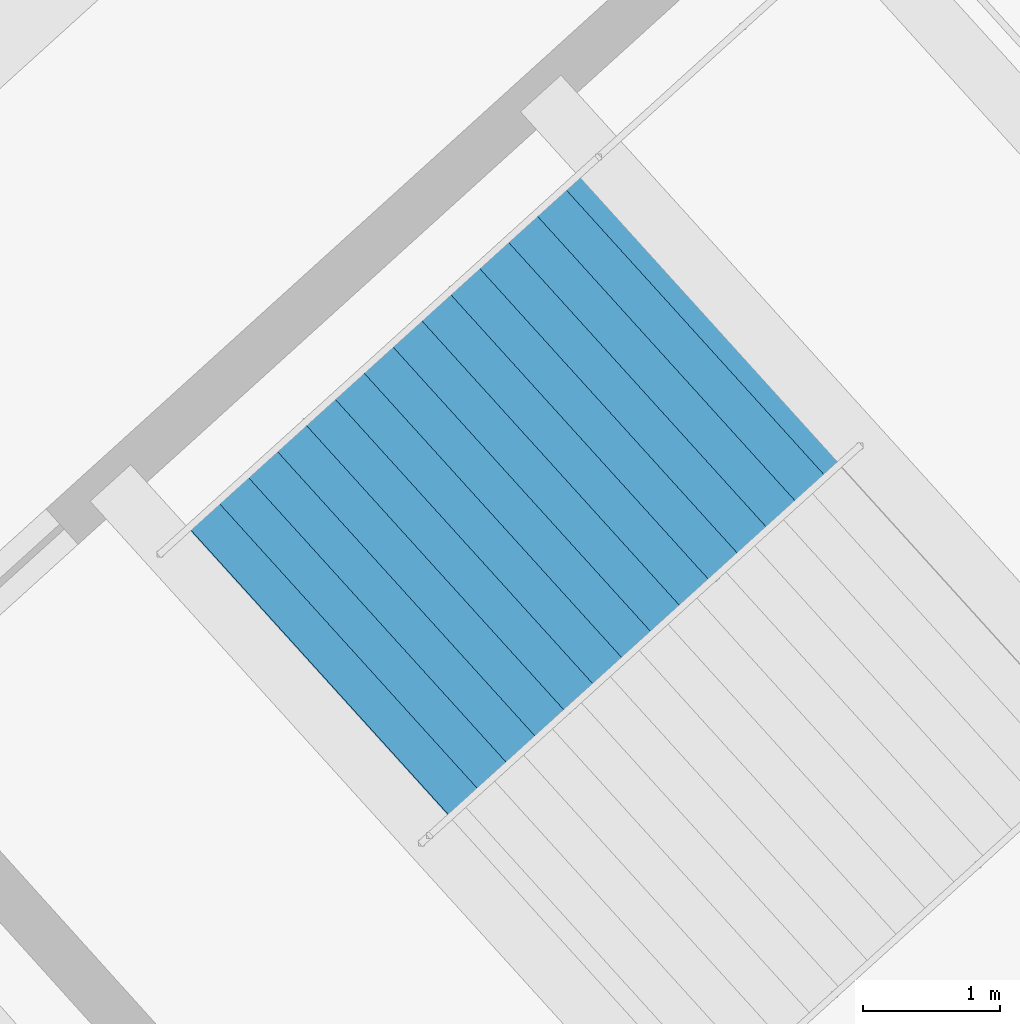
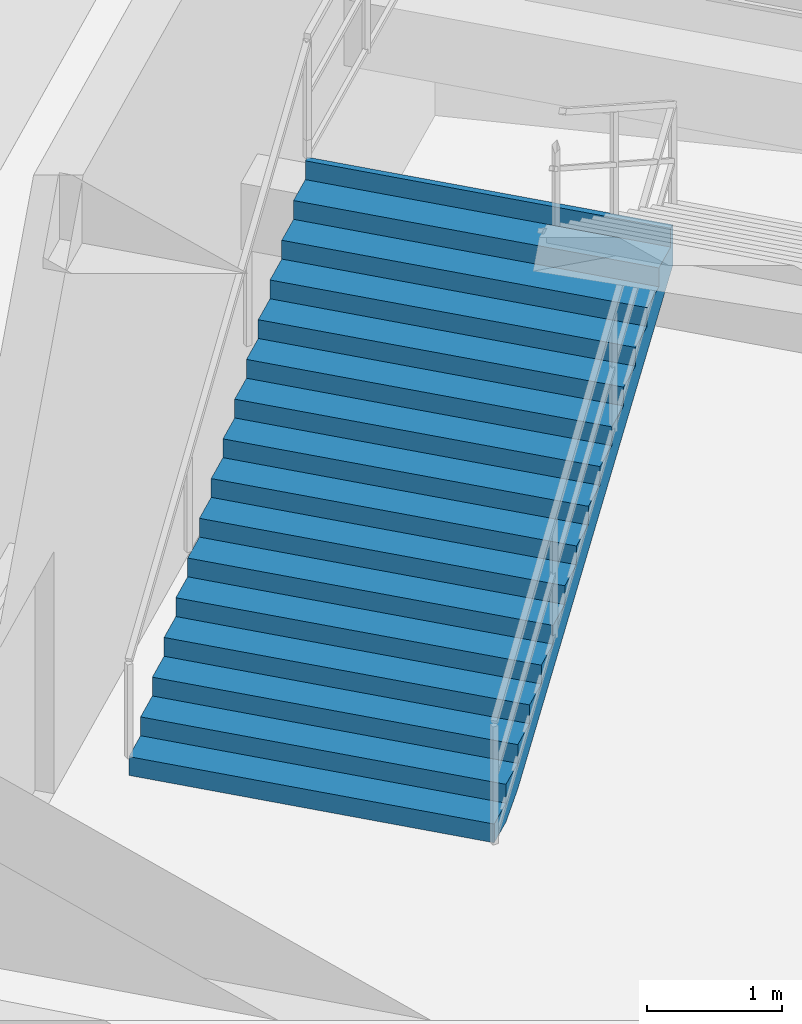
# One storey, part 28 of 49: 1 stair flight, 1 element without a shape of its own.
"""IFC4 building model written with IfcOpenShell, lengths in metres."""

from ifc_helpers import new_model, si_unit, direction, frame, origin, place, context, subcontext, project, spatial, polygons, material, type_object, element, aggregate, save


model = new_model("IFC4")

# Units and contexts
model_context = context("Model", 3, precision=1e-05, world=origin(), true_north=direction((0.0, 1.0)))
body_context = subcontext(model_context, "Body", "Model", "MODEL_VIEW")
ifc_project = project(units=[si_unit("LENGTHUNIT", "METRE"), si_unit("AREAUNIT", "SQUARE_METRE"), si_unit("VOLUMEUNIT", "CUBIC_METRE"), si_unit("PLANEANGLEUNIT", "RADIAN"), si_unit("MASSUNIT", "GRAM", prefix="KILO")], contexts=[model_context])

# Site, building, storey
site_placement = place(None, origin())
site = spatial("IfcSite", under=ifc_project, at=site_placement, CompositionType="ELEMENT")
building_placement = place(site_placement, origin())
building = spatial("IfcBuilding", under=site, at=building_placement, Name="Kazemori Nagisa Stadium", CompositionType="ELEMENT")
storey_placement = place(building_placement, frame((0.0, 0.0, -5.43994140625)))
storey = spatial("IfcBuildingStorey", under=building, at=storey_placement, Name="B1", CompositionType="ELEMENT", Elevation=-5.43994140625)

# Stair, stair flight
ifc_material = material(Name="Concrete C36/45 (Fc36)", Category="concrete")
stair_type = type_object("IfcStairType", Name="Stair_CORE_32", PredefinedType="TWO_STRAIGHT_RUN_STAIR", material=ifc_material)
stair_placement = place(storey_placement, origin())
stair = element("IfcStair", 1, at=stair_placement, inside=storey, type_object=stair_type, Name="Exit stair ST04 B1", PredefinedType="TWO_STRAIGHT_RUN_STAIR")
stair_flight_type = type_object("IfcStairFlightType", Name="Flight_CORE_16", PredefinedType="STRAIGHT", material=ifc_material)
stair_flight_placement = place(storey_placement, frame((182.77587890625, 39.410400390625, 0.0), z_axis=(0.0, 0.0, 1.0), x_axis=(0.741328742395, 0.671142083093, 0.0)))
stair_flight = element("IfcStairFlight", 2, at=stair_flight_placement, type_object=stair_flight_type, Name="Exit stair ST04 B1 flight 1", NumberOfRisers=16, NumberOfTreads=15, PredefinedType="STRAIGHT", RiserHeight=0.17, TreadLength=0.285, context=body_context, shape_type="Tessellation", body=[
    polygons([(0.0, -1.425048828125, 0.0), (0.0, -1.425048828125, 0.169921875), (0.284912109375, -1.425048828125, 0.169921875), (0.284912109375, -1.425048828125, 0.340087890625), (0.570068359375, -1.425048828125, 0.340087890625), (0.570068359375, -1.425048828125, 0.510009765625), (0.85498046875, -1.425048828125, 0.510009765625), (0.85498046875, -1.425048828125, 0.679931640625), (1.139892578125, -1.425048828125, 0.679931640625), (1.139892578125, -1.425048828125, 0.85009765625), (1.425048828125, -1.425048828125, 0.85009765625), (1.425048828125, -1.425048828125, 1.02001953125), (1.7099609375, -1.425048828125, 1.02001953125), (1.7099609375, -1.425048828125, 1.18994140625), (1.9951171875, -1.425048828125, 1.18994140625), (1.9951171875, -1.425048828125, 1.360107421875), (2.280029296875, -1.425048828125, 1.360107421875), (2.280029296875, -1.425048828125, 1.530029296875), (2.56494140625, -1.425048828125, 1.530029296875), (2.56494140625, -1.425048828125, 1.699951171875), (2.85009765625, -1.425048828125, 1.699951171875), (2.85009765625, -1.425048828125, 1.8701171875), (3.135009765625, -1.425048828125, 1.8701171875), (3.135009765625, -1.425048828125, 2.0400390625), (3.419921875, -1.425048828125, 2.0400390625), (3.419921875, -1.425048828125, 2.2099609375), (3.705078125, -1.425048828125, 2.2099609375), (3.705078125, -1.425048828125, 2.3798828125), (3.989990234375, -1.425048828125, 2.3798828125), (3.989990234375, -1.425048828125, 2.550048828125), (4.27490234375, -1.425048828125, 2.550048828125), (4.27490234375, -1.425048828125, 2.719970703125), (4.324951171875, -1.425048828125, 2.719970703125), (4.324951171875, -1.425048828125, 2.346923828125), (4.27490234375, -1.425048828125, 2.317138671875), (3.989990234375, -1.425048828125, 2.147216796875), (3.705078125, -1.425048828125, 1.977294921875), (3.419921875, -1.425048828125, 1.80712890625), (3.135009765625, -1.425048828125, 1.63720703125), (2.85009765625, -1.425048828125, 1.46728515625), (2.56494140625, -1.425048828125, 1.297119140625), (2.280029296875, -1.425048828125, 1.127197265625), (1.9951171875, -1.425048828125, 0.957275390625), (1.7099609375, -1.425048828125, 0.787109375), (1.425048828125, -1.425048828125, 0.6171875), (1.139892578125, -1.425048828125, 0.447265625), (0.85498046875, -1.425048828125, 0.277099609375), (0.570068359375, -1.425048828125, 0.107177734375), (0.284912109375, -1.425048828125, 0.0), (0.0, -0.08544921875, 0.0), (0.0, -0.08544921875, 0.169921875), (0.284912109375, -0.08544921875, 0.169921875), (0.284912109375, -0.08544921875, 0.340087890625), (0.570068359375, -0.08544921875, 0.340087890625), (0.570068359375, -0.08544921875, 0.510009765625), (0.85498046875, -0.08544921875, 0.510009765625), (0.85498046875, -0.08544921875, 0.679931640625), (1.139892578125, -0.08544921875, 0.679931640625), (1.139892578125, -0.08544921875, 0.85009765625), (1.425048828125, -0.08544921875, 0.85009765625), (1.425048828125, -0.08544921875, 1.02001953125), (1.7099609375, -0.08544921875, 1.02001953125), (1.7099609375, -0.08544921875, 1.18994140625), (1.9951171875, -0.08544921875, 1.18994140625), (1.9951171875, -0.08544921875, 1.360107421875), (2.280029296875, -0.08544921875, 1.360107421875), (2.280029296875, -0.08544921875, 1.530029296875), (2.56494140625, -0.08544921875, 1.530029296875), (2.56494140625, -0.08544921875, 1.699951171875), (2.85009765625, -0.08544921875, 1.699951171875), (2.85009765625, -0.08544921875, 1.8701171875), (3.135009765625, -0.08544921875, 1.8701171875), (3.135009765625, -0.08544921875, 2.0400390625), (3.419921875, -0.08544921875, 2.0400390625), (3.419921875, -0.08544921875, 2.2099609375), (3.705078125, -0.08544921875, 2.2099609375), (3.705078125, -0.08544921875, 2.3798828125), (3.989990234375, -0.08544921875, 2.3798828125), (3.989990234375, -0.08544921875, 2.550048828125), (4.27490234375, -0.08544921875, 2.550048828125), (4.27490234375, -0.08544921875, 2.719970703125), (4.324951171875, -0.08544921875, 2.719970703125), (4.324951171875, -0.08544921875, 2.346923828125), (4.27490234375, -0.08544921875, 2.317138671875), (3.989990234375, -0.08544921875, 2.147216796875), (3.705078125, -0.08544921875, 1.977294921875), (3.419921875, -0.08544921875, 1.80712890625), (3.135009765625, -0.08544921875, 1.63720703125), (2.85009765625, -0.08544921875, 1.46728515625), (2.56494140625, -0.08544921875, 1.297119140625), (2.280029296875, -0.08544921875, 1.127197265625), (1.9951171875, -0.08544921875, 0.957275390625), (1.7099609375, -0.08544921875, 0.787109375), (1.425048828125, -0.08544921875, 0.6171875), (1.139892578125, -0.08544921875, 0.447265625), (0.85498046875, -0.08544921875, 0.277099609375), (0.570068359375, -0.08544921875, 0.107177734375), (0.284912109375, -0.08544921875, 0.0), (0.0, 0.0, 0.0), (0.0, 0.0, 0.169921875), (0.284912109375, 0.0, 0.169921875), (0.284912109375, 0.0, 0.340087890625), (0.570068359375, 0.0, 0.340087890625), (0.570068359375, 0.0, 0.510009765625), (0.85498046875, 0.0, 0.510009765625), (0.85498046875, 0.0, 0.679931640625), (1.139892578125, 0.0, 0.679931640625), (1.139892578125, 0.0, 0.85009765625), (1.425048828125, 0.0, 0.85009765625), (1.425048828125, 0.0, 1.02001953125), (1.7099609375, 0.0, 1.02001953125), (1.7099609375, 0.0, 1.18994140625), (1.9951171875, 0.0, 1.18994140625), (1.9951171875, 0.0, 1.360107421875), (2.280029296875, 0.0, 1.360107421875), (2.280029296875, 0.0, 1.530029296875), (2.56494140625, 0.0, 1.530029296875), (2.56494140625, 0.0, 1.699951171875), (2.85009765625, 0.0, 1.699951171875), (2.85009765625, 0.0, 1.8701171875), (3.135009765625, 0.0, 1.8701171875), (3.135009765625, 0.0, 2.0400390625), (3.419921875, 0.0, 2.0400390625), (3.419921875, 0.0, 2.2099609375), (3.705078125, 0.0, 2.2099609375), (3.705078125, 0.0, 2.3798828125), (3.989990234375, 0.0, 2.3798828125), (3.989990234375, 0.0, 2.550048828125), (4.27490234375, 0.0, 2.550048828125), (4.27490234375, 0.0, 2.719970703125), (4.324951171875, 0.0, 2.719970703125), (4.324951171875, 0.0, 2.346923828125), (4.27490234375, 0.0, 2.317138671875), (3.989990234375, 0.0, 2.147216796875), (3.705078125, 0.0, 1.977294921875), (3.419921875, 0.0, 1.80712890625), (3.135009765625, 0.0, 1.63720703125), (2.85009765625, 0.0, 1.46728515625), (2.56494140625, 0.0, 1.297119140625), (2.280029296875, 0.0, 1.127197265625), (1.9951171875, 0.0, 0.957275390625), (1.7099609375, 0.0, 0.787109375), (1.425048828125, 0.0, 0.6171875), (1.139892578125, 0.0, 0.447265625), (0.85498046875, 0.0, 0.277099609375), (0.570068359375, 0.0, 0.107177734375), (0.284912109375, 0.0, 0.0), (0.0, 0.08544921875, 0.0), (0.0, 0.08544921875, 0.169921875), (0.284912109375, 0.08544921875, 0.169921875), (0.284912109375, 0.08544921875, 0.340087890625), (0.570068359375, 0.08544921875, 0.340087890625), (0.570068359375, 0.08544921875, 0.510009765625), (0.85498046875, 0.08544921875, 0.510009765625), (0.85498046875, 0.08544921875, 0.679931640625), (1.139892578125, 0.08544921875, 0.679931640625), (1.139892578125, 0.08544921875, 0.85009765625), (1.425048828125, 0.08544921875, 0.85009765625), (1.425048828125, 0.08544921875, 1.02001953125), (1.7099609375, 0.08544921875, 1.02001953125), (1.7099609375, 0.08544921875, 1.18994140625), (1.9951171875, 0.08544921875, 1.18994140625), (1.9951171875, 0.08544921875, 1.360107421875), (2.280029296875, 0.08544921875, 1.360107421875), (2.280029296875, 0.08544921875, 1.530029296875), (2.56494140625, 0.08544921875, 1.530029296875), (2.56494140625, 0.08544921875, 1.699951171875), (2.85009765625, 0.08544921875, 1.699951171875), (2.85009765625, 0.08544921875, 1.8701171875), (3.135009765625, 0.08544921875, 1.8701171875), (3.135009765625, 0.08544921875, 2.0400390625), (3.419921875, 0.08544921875, 2.0400390625), (3.419921875, 0.08544921875, 2.2099609375), (3.705078125, 0.08544921875, 2.2099609375), (3.705078125, 0.08544921875, 2.3798828125), (3.989990234375, 0.08544921875, 2.3798828125), (3.989990234375, 0.08544921875, 2.550048828125), (4.27490234375, 0.08544921875, 2.550048828125), (4.27490234375, 0.08544921875, 2.719970703125), (4.324951171875, 0.08544921875, 2.719970703125), (4.324951171875, 0.08544921875, 2.346923828125), (4.27490234375, 0.08544921875, 2.317138671875), (3.989990234375, 0.08544921875, 2.147216796875), (3.705078125, 0.08544921875, 1.977294921875), (3.419921875, 0.08544921875, 1.80712890625), (3.135009765625, 0.08544921875, 1.63720703125), (2.85009765625, 0.08544921875, 1.46728515625), (2.56494140625, 0.08544921875, 1.297119140625), (2.280029296875, 0.08544921875, 1.127197265625), (1.9951171875, 0.08544921875, 0.957275390625), (1.7099609375, 0.08544921875, 0.787109375), (1.425048828125, 0.08544921875, 0.6171875), (1.139892578125, 0.08544921875, 0.447265625), (0.85498046875, 0.08544921875, 0.277099609375), (0.570068359375, 0.08544921875, 0.107177734375), (0.284912109375, 0.08544921875, 0.0), (0.0, 1.425048828125, 0.0), (0.0, 1.425048828125, 0.169921875), (0.284912109375, 1.425048828125, 0.169921875), (0.284912109375, 1.425048828125, 0.340087890625), (0.570068359375, 1.425048828125, 0.340087890625), (0.570068359375, 1.425048828125, 0.510009765625), (0.85498046875, 1.425048828125, 0.510009765625), (0.85498046875, 1.425048828125, 0.679931640625), (1.139892578125, 1.425048828125, 0.679931640625), (1.139892578125, 1.425048828125, 0.85009765625), (1.425048828125, 1.425048828125, 0.85009765625), (1.425048828125, 1.425048828125, 1.02001953125), (1.7099609375, 1.425048828125, 1.02001953125), (1.7099609375, 1.425048828125, 1.18994140625), (1.9951171875, 1.425048828125, 1.18994140625), (1.9951171875, 1.425048828125, 1.360107421875), (2.280029296875, 1.425048828125, 1.360107421875), (2.280029296875, 1.425048828125, 1.530029296875), (2.56494140625, 1.425048828125, 1.530029296875), (2.56494140625, 1.425048828125, 1.699951171875), (2.85009765625, 1.425048828125, 1.699951171875), (2.85009765625, 1.425048828125, 1.8701171875), (3.135009765625, 1.425048828125, 1.8701171875), (3.135009765625, 1.425048828125, 2.0400390625), (3.419921875, 1.425048828125, 2.0400390625), (3.419921875, 1.425048828125, 2.2099609375), (3.705078125, 1.425048828125, 2.2099609375), (3.705078125, 1.425048828125, 2.3798828125), (3.989990234375, 1.425048828125, 2.3798828125), (3.989990234375, 1.425048828125, 2.550048828125), (4.27490234375, 1.425048828125, 2.550048828125), (4.27490234375, 1.425048828125, 2.719970703125), (4.324951171875, 1.425048828125, 2.719970703125), (4.324951171875, 1.425048828125, 2.346923828125), (4.27490234375, 1.425048828125, 2.317138671875), (3.989990234375, 1.425048828125, 2.147216796875), (3.705078125, 1.425048828125, 1.977294921875), (3.419921875, 1.425048828125, 1.80712890625), (3.135009765625, 1.425048828125, 1.63720703125), (2.85009765625, 1.425048828125, 1.46728515625), (2.56494140625, 1.425048828125, 1.297119140625), (2.280029296875, 1.425048828125, 1.127197265625), (1.9951171875, 1.425048828125, 0.957275390625), (1.7099609375, 1.425048828125, 0.787109375), (1.425048828125, 1.425048828125, 0.6171875), (1.139892578125, 1.425048828125, 0.447265625), (0.85498046875, 1.425048828125, 0.277099609375), (0.570068359375, 1.425048828125, 0.107177734375), (0.284912109375, 1.425048828125, 0.0)], [[[1, 2, 51]], [[1, 51, 50]], [[2, 3, 52]], [[2, 52, 51]], [[3, 4, 53]], [[3, 53, 52]], [[4, 5, 54]], [[4, 54, 53]], [[5, 6, 55]], [[5, 55, 54]], [[6, 7, 56]], [[6, 56, 55]], [[7, 8, 57]], [[7, 57, 56]], [[8, 9, 58]], [[8, 58, 57]], [[9, 10, 59]], [[9, 59, 58]], [[10, 11, 60]], [[10, 60, 59]], [[11, 12, 61]], [[11, 61, 60]], [[12, 13, 62]], [[12, 62, 61]], [[13, 14, 63]], [[13, 63, 62]], [[14, 15, 64]], [[14, 64, 63]], [[15, 16, 65]], [[15, 65, 64]], [[16, 17, 66]], [[16, 66, 65]], [[17, 18, 67]], [[17, 67, 66]], [[18, 19, 68]], [[18, 68, 67]], [[19, 20, 69]], [[19, 69, 68]], [[20, 21, 70]], [[20, 70, 69]], [[21, 22, 71]], [[21, 71, 70]], [[22, 23, 72]], [[22, 72, 71]], [[23, 24, 73]], [[23, 73, 72]], [[24, 25, 74]], [[24, 74, 73]], [[25, 26, 75]], [[25, 75, 74]], [[26, 27, 76]], [[26, 76, 75]], [[27, 28, 77]], [[27, 77, 76]], [[28, 29, 78]], [[28, 78, 77]], [[29, 30, 79]], [[29, 79, 78]], [[30, 31, 80]], [[30, 80, 79]], [[31, 32, 81]], [[31, 81, 80]], [[32, 33, 82]], [[32, 82, 81]], [[33, 34, 83]], [[33, 83, 82]], [[34, 35, 84]], [[34, 84, 83]], [[35, 36, 85]], [[35, 85, 84]], [[36, 37, 86]], [[36, 86, 85]], [[37, 38, 87]], [[37, 87, 86]], [[38, 39, 88]], [[38, 88, 87]], [[39, 40, 89]], [[39, 89, 88]], [[40, 41, 90]], [[40, 90, 89]], [[41, 42, 91]], [[41, 91, 90]], [[42, 43, 92]], [[42, 92, 91]], [[43, 44, 93]], [[43, 93, 92]], [[44, 45, 94]], [[44, 94, 93]], [[45, 46, 95]], [[45, 95, 94]], [[46, 47, 96]], [[46, 96, 95]], [[47, 48, 97]], [[47, 97, 96]], [[48, 49, 98]], [[48, 98, 97]], [[49, 1, 50]], [[49, 50, 98]], [[50, 51, 100]], [[50, 100, 99]], [[51, 52, 101]], [[51, 101, 100]], [[52, 53, 102]], [[52, 102, 101]], [[53, 54, 103]], [[53, 103, 102]], [[54, 55, 104]], [[54, 104, 103]], [[55, 56, 105]], [[55, 105, 104]], [[56, 57, 106]], [[56, 106, 105]], [[57, 58, 107]], [[57, 107, 106]], [[58, 59, 108]], [[58, 108, 107]], [[59, 60, 109]], [[59, 109, 108]], [[60, 61, 110]], [[60, 110, 109]], [[61, 62, 111]], [[61, 111, 110]], [[62, 63, 112]], [[62, 112, 111]], [[63, 64, 113]], [[63, 113, 112]], [[64, 65, 114]], [[64, 114, 113]], [[65, 66, 115]], [[65, 115, 114]], [[66, 67, 116]], [[66, 116, 115]], [[67, 68, 117]], [[67, 117, 116]], [[68, 69, 118]], [[68, 118, 117]], [[69, 70, 119]], [[69, 119, 118]], [[70, 71, 120]], [[70, 120, 119]], [[71, 72, 121]], [[71, 121, 120]], [[72, 73, 122]], [[72, 122, 121]], [[73, 74, 123]], [[73, 123, 122]], [[74, 75, 124]], [[74, 124, 123]], [[75, 76, 125]], [[75, 125, 124]], [[76, 77, 126]], [[76, 126, 125]], [[77, 78, 127]], [[77, 127, 126]], [[78, 79, 128]], [[78, 128, 127]], [[79, 80, 129]], [[79, 129, 128]], [[80, 81, 130]], [[80, 130, 129]], [[81, 82, 131]], [[81, 131, 130]], [[82, 83, 132]], [[82, 132, 131]], [[83, 84, 133]], [[83, 133, 132]], [[84, 85, 134]], [[84, 134, 133]], [[85, 86, 135]], [[85, 135, 134]], [[86, 87, 136]], [[86, 136, 135]], [[87, 88, 137]], [[87, 137, 136]], [[88, 89, 138]], [[88, 138, 137]], [[89, 90, 139]], [[89, 139, 138]], [[90, 91, 140]], [[90, 140, 139]], [[91, 92, 141]], [[91, 141, 140]], [[92, 93, 142]], [[92, 142, 141]], [[93, 94, 143]], [[93, 143, 142]], [[94, 95, 144]], [[94, 144, 143]], [[95, 96, 145]], [[95, 145, 144]], [[96, 97, 146]], [[96, 146, 145]], [[97, 98, 147]], [[97, 147, 146]], [[98, 50, 99]], [[98, 99, 147]], [[99, 100, 149]], [[99, 149, 148]], [[100, 101, 150]], [[100, 150, 149]], [[101, 102, 151]], [[101, 151, 150]], [[102, 103, 152]], [[102, 152, 151]], [[103, 104, 153]], [[103, 153, 152]], [[104, 105, 154]], [[104, 154, 153]], [[105, 106, 155]], [[105, 155, 154]], [[106, 107, 156]], [[106, 156, 155]], [[107, 108, 157]], [[107, 157, 156]], [[108, 109, 158]], [[108, 158, 157]], [[109, 110, 159]], [[109, 159, 158]], [[110, 111, 160]], [[110, 160, 159]], [[111, 112, 161]], [[111, 161, 160]], [[112, 113, 162]], [[112, 162, 161]], [[113, 114, 163]], [[113, 163, 162]], [[114, 115, 164]], [[114, 164, 163]], [[115, 116, 165]], [[115, 165, 164]], [[116, 117, 166]], [[116, 166, 165]], [[117, 118, 167]], [[117, 167, 166]], [[118, 119, 168]], [[118, 168, 167]], [[119, 120, 169]], [[119, 169, 168]], [[120, 121, 170]], [[120, 170, 169]], [[121, 122, 171]], [[121, 171, 170]], [[122, 123, 172]], [[122, 172, 171]], [[123, 124, 173]], [[123, 173, 172]], [[124, 125, 174]], [[124, 174, 173]], [[125, 126, 175]], [[125, 175, 174]], [[126, 127, 176]], [[126, 176, 175]], [[127, 128, 177]], [[127, 177, 176]], [[128, 129, 178]], [[128, 178, 177]], [[129, 130, 179]], [[129, 179, 178]], [[130, 131, 180]], [[130, 180, 179]], [[131, 132, 181]], [[131, 181, 180]], [[132, 133, 182]], [[132, 182, 181]], [[133, 134, 183]], [[133, 183, 182]], [[134, 135, 184]], [[134, 184, 183]], [[135, 136, 185]], [[135, 185, 184]], [[136, 137, 186]], [[136, 186, 185]], [[137, 138, 187]], [[137, 187, 186]], [[138, 139, 188]], [[138, 188, 187]], [[139, 140, 189]], [[139, 189, 188]], [[140, 141, 190]], [[140, 190, 189]], [[141, 142, 191]], [[141, 191, 190]], [[142, 143, 192]], [[142, 192, 191]], [[143, 144, 193]], [[143, 193, 192]], [[144, 145, 194]], [[144, 194, 193]], [[145, 146, 195]], [[145, 195, 194]], [[146, 147, 196]], [[146, 196, 195]], [[147, 99, 148]], [[147, 148, 196]], [[148, 149, 198]], [[148, 198, 197]], [[149, 150, 199]], [[149, 199, 198]], [[150, 151, 200]], [[150, 200, 199]], [[151, 152, 201]], [[151, 201, 200]], [[152, 153, 202]], [[152, 202, 201]], [[153, 154, 203]], [[153, 203, 202]], [[154, 155, 204]], [[154, 204, 203]], [[155, 156, 205]], [[155, 205, 204]], [[156, 157, 206]], [[156, 206, 205]], [[157, 158, 207]], [[157, 207, 206]], [[158, 159, 208]], [[158, 208, 207]], [[159, 160, 209]], [[159, 209, 208]], [[160, 161, 210]], [[160, 210, 209]], [[161, 162, 211]], [[161, 211, 210]], [[162, 163, 212]], [[162, 212, 211]], [[163, 164, 213]], [[163, 213, 212]], [[164, 165, 214]], [[164, 214, 213]], [[165, 166, 215]], [[165, 215, 214]], [[166, 167, 216]], [[166, 216, 215]], [[167, 168, 217]], [[167, 217, 216]], [[168, 169, 218]], [[168, 218, 217]], [[169, 170, 219]], [[169, 219, 218]], [[170, 171, 220]], [[170, 220, 219]], [[171, 172, 221]], [[171, 221, 220]], [[172, 173, 222]], [[172, 222, 221]], [[173, 174, 223]], [[173, 223, 222]], [[174, 175, 224]], [[174, 224, 223]], [[175, 176, 225]], [[175, 225, 224]], [[176, 177, 226]], [[176, 226, 225]], [[177, 178, 227]], [[177, 227, 226]], [[178, 179, 228]], [[178, 228, 227]], [[179, 180, 229]], [[179, 229, 228]], [[180, 181, 230]], [[180, 230, 229]], [[181, 182, 231]], [[181, 231, 230]], [[182, 183, 232]], [[182, 232, 231]], [[183, 184, 233]], [[183, 233, 232]], [[184, 185, 234]], [[184, 234, 233]], [[185, 186, 235]], [[185, 235, 234]], [[186, 187, 236]], [[186, 236, 235]], [[187, 188, 237]], [[187, 237, 236]], [[188, 189, 238]], [[188, 238, 237]], [[189, 190, 239]], [[189, 239, 238]], [[190, 191, 240]], [[190, 240, 239]], [[191, 192, 241]], [[191, 241, 240]], [[192, 193, 242]], [[192, 242, 241]], [[193, 194, 243]], [[193, 243, 242]], [[194, 195, 244]], [[194, 244, 243]], [[195, 196, 245]], [[195, 245, 244]], [[196, 148, 197]], [[196, 197, 245]], [[3, 2, 1]], [[197, 198, 199]], [[49, 3, 1]], [[197, 199, 245]], [[48, 3, 49]], [[245, 199, 244]], [[5, 3, 48]], [[244, 199, 201]], [[5, 4, 3]], [[199, 200, 201]], [[47, 5, 48]], [[244, 201, 243]], [[7, 5, 47]], [[243, 201, 203]], [[7, 6, 5]], [[201, 202, 203]], [[46, 7, 47]], [[243, 203, 242]], [[9, 7, 46]], [[242, 203, 205]], [[9, 8, 7]], [[203, 204, 205]], [[45, 9, 46]], [[242, 205, 241]], [[11, 9, 45]], [[241, 205, 207]], [[11, 10, 9]], [[205, 206, 207]], [[44, 11, 45]], [[241, 207, 240]], [[13, 11, 44]], [[240, 207, 209]], [[13, 12, 11]], [[207, 208, 209]], [[43, 13, 44]], [[240, 209, 239]], [[15, 13, 43]], [[239, 209, 211]], [[15, 14, 13]], [[209, 210, 211]], [[42, 15, 43]], [[239, 211, 238]], [[17, 15, 42]], [[238, 211, 213]], [[17, 16, 15]], [[211, 212, 213]], [[41, 17, 42]], [[238, 213, 237]], [[19, 17, 41]], [[237, 213, 215]], [[19, 18, 17]], [[213, 214, 215]], [[40, 19, 41]], [[237, 215, 236]], [[21, 19, 40]], [[236, 215, 217]], [[21, 20, 19]], [[215, 216, 217]], [[39, 21, 40]], [[236, 217, 235]], [[23, 21, 39]], [[235, 217, 219]], [[23, 22, 21]], [[217, 218, 219]], [[38, 23, 39]], [[235, 219, 234]], [[25, 23, 38]], [[234, 219, 221]], [[25, 24, 23]], [[219, 220, 221]], [[37, 25, 38]], [[234, 221, 233]], [[27, 25, 37]], [[233, 221, 223]], [[27, 26, 25]], [[221, 222, 223]], [[36, 27, 37]], [[233, 223, 232]], [[29, 27, 36]], [[232, 223, 225]], [[29, 28, 27]], [[223, 224, 225]], [[35, 29, 36]], [[232, 225, 231]], [[31, 29, 35]], [[231, 225, 227]], [[31, 30, 29]], [[225, 226, 227]], [[34, 31, 35]], [[231, 227, 230]], [[33, 31, 34]], [[230, 227, 229]], [[33, 32, 31]], [[227, 228, 229]]], closed=True),
])
aggregate(stair, [stair_flight])

save(model, "model.ifc")
